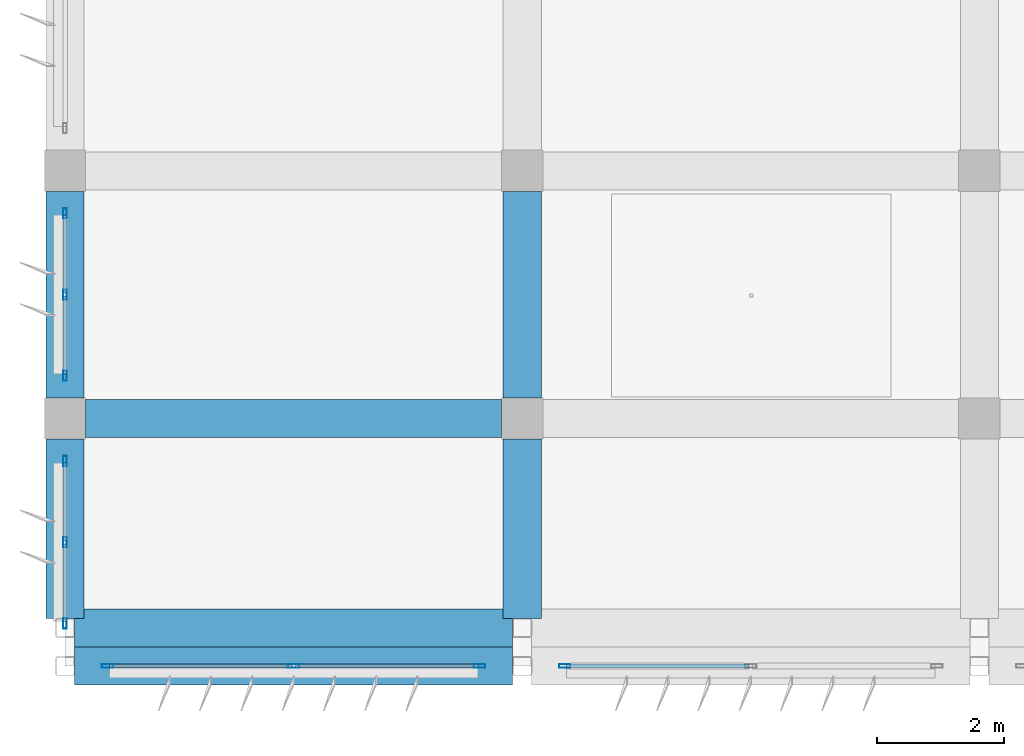
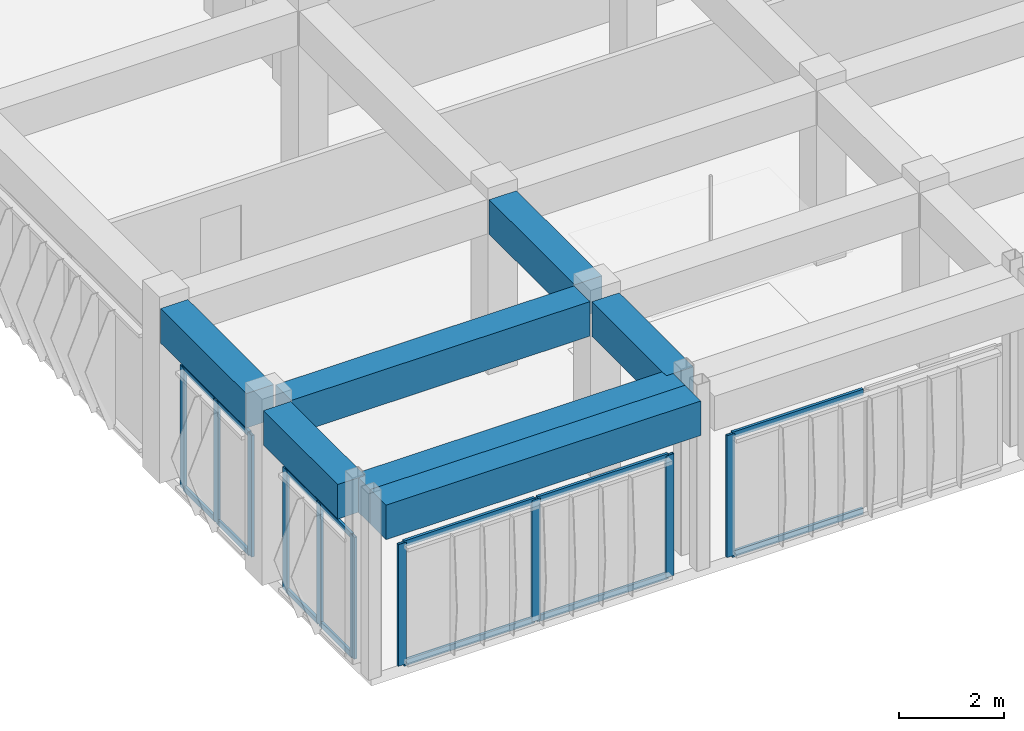
# One storey, part 3 of 53: 24 members, 7 beams, 4 elements without a shape of their own.
"""IFC4 building model written with IfcOpenShell, lengths in metres."""

import ifcopenshell
import ifcopenshell.guid

model = None  # the IFC model being written
_history = None  # IfcOwnerHistory: only IFC2X3 demands one
_inside = {}  # id of a spatial element -> (the spatial element, [elements in it])
_under = {}  # id of a project, library or spatial element -> (it, [spatial elements below it])
_declared = {}  # id of a project -> (the project, [libraries it declares])
_typed = {}  # id of a type object -> (the type object, [elements of that type])
_made_of = {}  # id of a material, layer set ... -> (it, [elements and type objects made of it])


def new_model(schema):
    """Start an empty IFC model of exactly this schema.

    Asked for "IFC4X3", IfcOpenShell would pick the latest addendum, in which some entities
    have other attributes; the version numbers below select the first issue.
    IFC2X3 requires an IfcOwnerHistory on every rooted entity: one is made here for all.
    """
    global model, _history
    if schema == "IFC4X3":
        model = ifcopenshell.file(schema_version=(4, 3, 0, 0))
    else:
        model = ifcopenshell.file(schema=schema)
    _inside.clear()
    _under.clear()
    _declared.clear()
    _typed.clear()
    _made_of.clear()
    _history = None
    if model.schema == "IFC2X3":
        org = make("IfcOrganization", Name="unknown")
        user = make(
            "IfcPersonAndOrganization",
            ThePerson=make("IfcPerson", FamilyName="unknown"),
            TheOrganization=org,
        )
        app = make(
            "IfcApplication",
            ApplicationDeveloper=org,
            Version="unknown",
            ApplicationFullName="unknown",
            ApplicationIdentifier="unknown",
        )
        _history = make(
            "IfcOwnerHistory",
            OwningUser=user,
            OwningApplication=app,
            ChangeAction="ADDED",
            CreationDate=0,
        )
    return model


def make(cls, **values):
    """One entity of the class cls with the attributes given. An attribute that is None is left unset."""
    return model.create_entity(
        cls, **{name: value for name, value in values.items() if value is not None}
    )


def rooted(cls, **values):
    """An entity with a GlobalId (a new one), such as an element, a storey or a relation."""
    return make(cls, GlobalId=ifcopenshell.guid.new(), OwnerHistory=_history, **values)


def si_unit(unit_type, name, prefix=None):
    """IfcSIUnit, for example si_unit("LENGTHUNIT", "METRE", prefix="MILLI")."""
    return make("IfcSIUnit", UnitType=unit_type, Prefix=prefix, Name=name)


def assignment(units):
    """IfcUnitAssignment: the units of a project."""
    return None if units is None else make("IfcUnitAssignment", Units=units)


def point(xyz):
    """IfcCartesianPoint."""
    return None if xyz is None else make("IfcCartesianPoint", Coordinates=xyz)


def direction(xyz):
    """IfcDirection."""
    return None if xyz is None else make("IfcDirection", DirectionRatios=xyz)


def frame(location, z_axis=None, x_axis=None):
    """IfcAxis2Placement3D, a coordinate frame: its origin and axes. An axis left out is left unset."""
    return make(
        "IfcAxis2Placement3D",
        Location=point(location),
        Axis=direction(z_axis),
        RefDirection=direction(x_axis),
    )


def frame_2d(location, x_axis=None):
    """IfcAxis2Placement2D, a coordinate frame in the plane: its origin and x axis."""
    return make(
        "IfcAxis2Placement2D", Location=point(location), RefDirection=direction(x_axis)
    )


def origin():
    """The frame at (0, 0, 0) with its axes left unset."""
    return frame((0.0, 0.0, 0.0))


def origin_2d():
    """The frame at (0, 0) in the plane with its x axis left unset."""
    return frame_2d((0.0, 0.0))


def place(relative_to, where):
    """IfcLocalPlacement: puts the frame where relative to a parent placement (None: the world)."""
    return make(
        "IfcLocalPlacement", PlacementRelTo=relative_to, RelativePlacement=where
    )


def context(
    kind, dimensions, precision=None, world=None, true_north=None, identifier=None
):
    """IfcGeometricRepresentationContext, for example the 3D "Model" context."""
    return make(
        "IfcGeometricRepresentationContext",
        ContextIdentifier=identifier,
        ContextType=kind,
        CoordinateSpaceDimension=dimensions,
        Precision=precision,
        WorldCoordinateSystem=world,
        TrueNorth=true_north,
    )


def subcontext(parent, identifier, kind, view, scale=None):
    """IfcGeometricRepresentationSubContext, for example "Body" below "Model"."""
    return make(
        "IfcGeometricRepresentationSubContext",
        ContextIdentifier=identifier,
        ContextType=kind,
        ParentContext=parent,
        TargetScale=scale,
        TargetView=view,
    )


def project(units=None, contexts=None):
    """IfcProject with its units and contexts."""
    return rooted(
        "IfcProject",
        Name="project",
        RepresentationContexts=contexts,
        UnitsInContext=assignment(units),
    )


def spatial(cls, under=None, at=None, **own):
    """A site, building, storey or space (cls), placed at a placement, below another one or the project."""
    s = rooted(cls, ObjectPlacement=at, **own)
    if under is not None:
        _under.setdefault(under.id(), (under, []))[1].append(s)
    return s


def profile(cls, at=None, kind="AREA", **sizes):
    """A parametric profile (cls). Its sizes go by their IFC names, for example OverallWidth=200.0."""
    return make(cls, ProfileType=kind, Position=at, **sizes)


def rectangle(**sizes):
    """IfcRectangleProfileDef."""
    return profile("IfcRectangleProfileDef", **sizes)


def hollow_rectangle(**sizes):
    """IfcRectangleHollowProfileDef."""
    return profile("IfcRectangleHollowProfileDef", **sizes)


def extrude(swept, where, along, depth):
    """IfcExtrudedAreaSolid: the profile swept, set in the frame where, extruded along a direction by depth."""
    return make(
        "IfcExtrudedAreaSolid",
        SweptArea=swept,
        Position=where,
        ExtrudedDirection=direction(along),
        Depth=depth,
    )


def shape(context_of_items, identifier, shape_type, items):
    """IfcShapeRepresentation: the items that make up one representation, for example the "Body"."""
    return make(
        "IfcShapeRepresentation",
        ContextOfItems=context_of_items,
        RepresentationIdentifier=identifier,
        RepresentationType=shape_type,
        Items=items,
    )


def material(Name=None, Category=None):
    """IfcMaterial."""
    return make("IfcMaterial", Name=Name, Category=Category)


def material_profile(
    of_material, cross_section, Name=None, Category=None, Priority=None
):
    """IfcMaterialProfile: a cross section and its material."""
    return make(
        "IfcMaterialProfile",
        Name=Name,
        Material=of_material,
        Profile=cross_section,
        Priority=Priority,
        Category=Category,
    )


def profile_set(profiles, Name=None, composite=None):
    """IfcMaterialProfileSet."""
    return make(
        "IfcMaterialProfileSet",
        Name=Name,
        MaterialProfiles=profiles,
        CompositeProfile=composite,
    )


def made_of(thing, what):
    """Note that an element or type object is made of a material, layer set ...; save() writes the relation."""
    if what is not None:
        _made_of.setdefault(what.id(), (what, []))[1].append(thing)
    return thing


def type_object(cls, material=None, **own):
    """A type object (cls), such as IfcWallType, which elements share."""
    return made_of(rooted(cls, **own), material)


def element(
    cls,
    number,
    at=None,
    inside=None,
    cuts=None,
    type_object=None,
    material=None,
    context=None,
    identifier="Body",
    shape_type=None,
    held_by="IfcProductDefinitionShape",
    body=None,
    shapes=None,
    **own,
):
    """One element of the class cls, such as IfcWall. Its Tag is "e" and its number.

    at: its placement. inside: the storey or other place that contains it. cuts: it is an
    opening in that element (IfcRelVoidsElement). A single representation is given by context,
    identifier, shape_type and body (its items); several are given by shapes. held_by: the class
    of the entity that holds the representations. save() writes the other relations.
    """
    e = rooted(cls, Tag="e%d" % number, ObjectPlacement=at, **own)
    if body is not None:
        shapes = [shape(context, identifier, shape_type, body)]
    if shapes is not None:
        e.Representation = make(held_by, Representations=shapes)
    if inside is not None:
        _inside.setdefault(inside.id(), (inside, []))[1].append(e)
    if cuts is not None:
        rooted(
            "IfcRelVoidsElement", RelatingBuildingElement=cuts, RelatedOpeningElement=e
        )
    if type_object is not None:
        _typed.setdefault(type_object.id(), (type_object, []))[1].append(e)
    return made_of(e, material)


def aggregate(whole, parts):
    """IfcRelAggregates: a whole, such as a stair, and the parts it consists of."""
    return rooted("IfcRelAggregates", RelatingObject=whole, RelatedObjects=parts)


def save(model, path):
    """Write the relations noted so far, then the file.

    IfcRelAggregates (storeys below a building ...), IfcRelContainedInSpatialStructure (elements
    in a storey), IfcRelDefinesByType, IfcRelAssociatesMaterial and IfcRelDeclares: one each for
    every whole, place, type object, material and project.
    """
    for whole, parts in _under.values():
        aggregate(whole, parts)
    for where, things in _inside.values():
        rooted(
            "IfcRelContainedInSpatialStructure",
            RelatedElements=things,
            RelatingStructure=where,
        )
    for kind, things in _typed.values():
        rooted("IfcRelDefinesByType", RelatedObjects=things, RelatingType=kind)
    for what, things in _made_of.values():
        rooted("IfcRelAssociatesMaterial", RelatedObjects=things, RelatingMaterial=what)
    for by, libraries in _declared.values():
        rooted("IfcRelDeclares", RelatingContext=by, RelatedDefinitions=libraries)
    model.write(path)


model = new_model("IFC4")

# Units and contexts
model_context = context("Model", 3, precision=1e-05, world=origin(), true_north=direction((0.0, 1.0)))
body_context = subcontext(model_context, "Body", "Model", "MODEL_VIEW")
ifc_project = project(units=[si_unit("LENGTHUNIT", "METRE"), si_unit("AREAUNIT", "SQUARE_METRE"), si_unit("VOLUMEUNIT", "CUBIC_METRE"), si_unit("PLANEANGLEUNIT", "RADIAN"), si_unit("MASSUNIT", "GRAM", prefix="KILO")], contexts=[model_context])

# Site, building, storey
site_placement = place(None, origin())
site = spatial("IfcSite", under=ifc_project, at=site_placement, CompositionType="ELEMENT")
building_placement = place(site_placement, origin())
building = spatial("IfcBuilding", under=site, at=building_placement, Name="Kazehaya Institute of Natural Sciences", CompositionType="ELEMENT")
storey_placement = place(building_placement, frame((0.0, 0.0, 33.300048828125)))
storey = spatial("IfcBuildingStorey", under=building, at=storey_placement, Name="L07", CompositionType="ELEMENT", Elevation=33.300048828125)

# Beams
ifc_material_1 = material(Name="Concrete Fc36", Category="concrete")
ifc_material_profile_1 = material_profile(ifc_material_1, rectangle(XDim=0.60009765625, YDim=0.800048828125, at=origin_2d()), Name="RC-600x800")
ifc_profile_set_1 = profile_set([ifc_material_profile_1], Name="Concrete Fc36")
beam_type = type_object("IfcBeamType", Name="BM-G-600x800", PredefinedType="BEAM", material=ifc_profile_set_1)
for number, where, z_axis, x_axis, name in (
    (1, (54.75, 6.199951171875, 3.64990234375), (1.0, 0.0, 0.0), (0.0, 1.0, 0.0), "L07 primary X girder BMX-L07-546-62"),
    (2, (54.75, 6.800048828125, 3.64990234375), (1.0, 0.0, 0.0), (0.0, 1.0, 0.0), "L07 primary X girder BMX-L07-546-68"),
):
    element("IfcBeam", number, at=place(storey_placement, frame(where, z_axis=z_axis, x_axis=x_axis)), inside=storey, type_object=beam_type, Name=name, PredefinedType="BEAM", context=body_context, shape_type="SweptSolid", body=[
        extrude(rectangle(XDim=0.60009765625, YDim=0.800048828125, at=origin_2d()), origin(), (0.0, 0.0, 1.0), 6.89990234375),
    ])
beam_1_placement = place(storey_placement, frame((54.925048828125, 10.10009765625, 3.64990234375), z_axis=(1.0, 0.0, 0.0), x_axis=(0.0, 1.0, 0.0)))
element("IfcBeam", 3, at=beam_1_placement, inside=storey, type_object=beam_type, Name="L07 primary X girder BMX-L07-546-101", PredefinedType="BEAM", context=body_context, shape_type="SweptSolid", body=[
    extrude(rectangle(XDim=0.60009765625, YDim=0.800048828125, at=origin_2d()), origin(), (0.0, 0.0, 1.0), 6.550048828125),
])
beam_2_placement = place(storey_placement, frame((54.60009765625, 6.949951171875, 3.64990234375), z_axis=(0.0, 1.0, 0.0), x_axis=(-1.0, 0.0, 0.0)))
element("IfcBeam", 4, at=beam_2_placement, inside=storey, type_object=beam_type, Name="L07 primary Y girder BMY-L07-546-68", PredefinedType="BEAM", context=body_context, shape_type="SweptSolid", body=[
    extrude(rectangle(XDim=0.60009765625, YDim=0.800048828125, at=origin_2d()), origin(), (0.0, 0.0, 1.0), 2.824951171875),
])
beam_3_placement = place(storey_placement, frame((54.60009765625, 10.425048828125, 3.64990234375), z_axis=(0.0, 1.0, 0.0), x_axis=(-1.0, 0.0, 0.0)))
element("IfcBeam", 5, at=beam_3_placement, inside=storey, type_object=beam_type, Name="L07 primary Y girder BMY-L07-546-101", PredefinedType="BEAM", context=body_context, shape_type="SweptSolid", body=[
    extrude(rectangle(XDim=0.60009765625, YDim=0.800048828125, at=origin_2d()), origin(), (0.0, 0.0, 1.0), 3.25),
])
beam_4_placement = place(storey_placement, frame((61.800048828125, 6.949951171875, 3.64990234375), z_axis=(0.0, 1.0, 0.0), x_axis=(-1.0, 0.0, 0.0)))
element("IfcBeam", 6, at=beam_4_placement, inside=storey, type_object=beam_type, Name="L07 primary Y girder BMY-L07-618-68", PredefinedType="BEAM", context=body_context, shape_type="SweptSolid", body=[
    extrude(rectangle(XDim=0.60009765625, YDim=0.800048828125, at=origin_2d()), origin(), (0.0, 0.0, 1.0), 2.824951171875),
])
beam_5_placement = place(storey_placement, frame((61.800048828125, 10.425048828125, 3.64990234375), z_axis=(0.0, 1.0, 0.0), x_axis=(-1.0, 0.0, 0.0)))
element("IfcBeam", 7, at=beam_5_placement, inside=storey, type_object=beam_type, Name="L07 primary Y girder BMY-L07-618-101", PredefinedType="BEAM", context=body_context, shape_type="SweptSolid", body=[
    extrude(rectangle(XDim=0.60009765625, YDim=0.800048828125, at=origin_2d()), origin(), (0.0, 0.0, 1.0), 3.25),
])

# Curtain wall, members
ifc_material_2 = material(Name="Aluminium alloy A6063S-T5", Category="aluminium")
curtain_wall_type_1 = type_object("IfcCurtainWallType", Name="CW-SYS-09", PredefinedType="NOTDEFINED", material=ifc_material_2)
curtain_wall_1_placement = place(storey_placement, origin())
curtain_wall_1 = element("IfcCurtainWall", 8, at=curtain_wall_1_placement, inside=storey, type_object=curtain_wall_type_1, Name="L07 unitised curtain wall CW-L07-166", PredefinedType="NOTDEFINED")
ifc_material_profile_2 = material_profile(ifc_material_2, hollow_rectangle(XDim=0.06005859375, YDim=0.159912109375, WallThickness=0.00390625, at=origin_2d()), Name="ALU-60x160x4")
ifc_profile_set_2 = profile_set([ifc_material_profile_2], Name="Aluminium alloy A6063S-T5")
member_type_1 = type_object("IfcMemberType", Name="CWM-160", PredefinedType="MULLION", material=ifc_profile_set_2)
member_1_placement = place(storey_placement, frame((54.60009765625, 6.8701171875, 0.0), z_axis=(0.0, 0.0, 1.0), x_axis=(-1.0, 0.0, 0.0)))
member_1 = element("IfcMember", 9, at=member_1_placement, type_object=member_type_1, Name="CW09 mullion 1", PredefinedType="MULLION", context=body_context, shape_type="SweptSolid", body=[
    extrude(hollow_rectangle(XDim=0.06005859375, YDim=0.159912109375, WallThickness=0.00390625, at=origin_2d()), origin(), (0.0, 0.0, 1.0), 2.820068359375),
])
member_2_placement = place(storey_placement, frame((54.60009765625, 8.14990234375, 0.0), z_axis=(0.0, 0.0, 1.0), x_axis=(-1.0, 0.0, 0.0)))
member_2 = element("IfcMember", 10, at=member_2_placement, type_object=member_type_1, Name="CW09 mullion 2", PredefinedType="MULLION", context=body_context, shape_type="SweptSolid", body=[
    extrude(hollow_rectangle(XDim=0.06005859375, YDim=0.159912109375, WallThickness=0.00390625, at=origin_2d()), origin(), (0.0, 0.0, 1.0), 2.820068359375),
])
member_3_placement = place(storey_placement, frame((54.60009765625, 9.429931640625, 0.0), z_axis=(0.0, 0.0, 1.0), x_axis=(-1.0, 0.0, 0.0)))
member_3 = element("IfcMember", 11, at=member_3_placement, type_object=member_type_1, Name="CW09 mullion 3", PredefinedType="MULLION", context=body_context, shape_type="SweptSolid", body=[
    extrude(hollow_rectangle(XDim=0.06005859375, YDim=0.159912109375, WallThickness=0.00390625, at=origin_2d()), origin(), (0.0, 0.0, 1.0), 2.820068359375),
])

curtain_wall_2_placement = place(storey_placement, origin())
curtain_wall_2 = element("IfcCurtainWall", 12, at=curtain_wall_2_placement, inside=storey, type_object=curtain_wall_type_1, Name="L07 unitised curtain wall CW-L07-168", PredefinedType="NOTDEFINED")
member_4_placement = place(storey_placement, frame((54.60009765625, 10.77001953125, 0.0), z_axis=(0.0, 0.0, 1.0), x_axis=(-1.0, 0.0, 0.0)))
member_4 = element("IfcMember", 13, at=member_4_placement, type_object=member_type_1, Name="CW09 mullion 1", PredefinedType="MULLION", context=body_context, shape_type="SweptSolid", body=[
    extrude(hollow_rectangle(XDim=0.06005859375, YDim=0.159912109375, WallThickness=0.00390625, at=origin_2d()), origin(), (0.0, 0.0, 1.0), 2.820068359375),
])
member_5_placement = place(storey_placement, frame((54.60009765625, 12.050048828125, 0.0), z_axis=(0.0, 0.0, 1.0), x_axis=(-1.0, 0.0, 0.0)))
member_5 = element("IfcMember", 14, at=member_5_placement, type_object=member_type_1, Name="CW09 mullion 2", PredefinedType="MULLION", context=body_context, shape_type="SweptSolid", body=[
    extrude(hollow_rectangle(XDim=0.06005859375, YDim=0.159912109375, WallThickness=0.00390625, at=origin_2d()), origin(), (0.0, 0.0, 1.0), 2.820068359375),
])
member_6_placement = place(storey_placement, frame((54.60009765625, 13.330078125, 0.0), z_axis=(0.0, 0.0, 1.0), x_axis=(-1.0, 0.0, 0.0)))
member_6 = element("IfcMember", 15, at=member_6_placement, type_object=member_type_1, Name="CW09 mullion 3", PredefinedType="MULLION", context=body_context, shape_type="SweptSolid", body=[
    extrude(hollow_rectangle(XDim=0.06005859375, YDim=0.159912109375, WallThickness=0.00390625, at=origin_2d()), origin(), (0.0, 0.0, 1.0), 2.820068359375),
])

# Curtain wall, member
curtain_wall_type_2 = type_object("IfcCurtainWallType", Name="CW-SYS-05", PredefinedType="NOTDEFINED", material=ifc_material_2)
curtain_wall_3_placement = place(storey_placement, origin())
curtain_wall_3 = element("IfcCurtainWall", 16, at=curtain_wall_3_placement, inside=storey, type_object=curtain_wall_type_2, Name="L07 unitised curtain wall CW-L07-155", PredefinedType="NOTDEFINED")
ifc_material_profile_3 = material_profile(ifc_material_2, hollow_rectangle(XDim=0.06005859375, YDim=0.179931640625, WallThickness=0.00390625, at=origin_2d()), Name="ALU-60x180x4")
ifc_profile_set_3 = profile_set([ifc_material_profile_3], Name="Aluminium alloy A6063S-T5")
member_type_2 = type_object("IfcMemberType", Name="CWM-180", PredefinedType="MULLION", material=ifc_profile_set_3)
member_7_placement = place(storey_placement, frame((62.469970703125, 6.199951171875, 0.0), z_axis=(0.0, 0.0, 1.0), x_axis=(0.0, -1.0, 0.0)))
member_7 = element("IfcMember", 17, at=member_7_placement, type_object=member_type_2, Name="CW05 mullion 3", PredefinedType="MULLION", context=body_context, shape_type="SweptSolid", body=[
    extrude(hollow_rectangle(XDim=0.06005859375, YDim=0.179931640625, WallThickness=0.00390625, at=origin_2d()), origin(), (0.0, 0.0, 1.0), 2.820068359375),
])

# Curtain wall, members
curtain_wall_4_placement = place(storey_placement, origin())
curtain_wall_4 = element("IfcCurtainWall", 18, at=curtain_wall_4_placement, inside=storey, type_object=curtain_wall_type_2, Name="L07 unitised curtain wall CW-L07-156", PredefinedType="NOTDEFINED")
member_8_placement = place(storey_placement, frame((61.1298828125, 6.199951171875, 0.0), z_axis=(0.0, 0.0, 1.0), x_axis=(0.0, -1.0, 0.0)))
member_8 = element("IfcMember", 19, at=member_8_placement, type_object=member_type_2, Name="CW05 mullion 1", PredefinedType="MULLION", context=body_context, shape_type="SweptSolid", body=[
    extrude(hollow_rectangle(XDim=0.06005859375, YDim=0.179931640625, WallThickness=0.00390625, at=origin_2d()), origin(), (0.0, 0.0, 1.0), 2.820068359375),
])
member_9_placement = place(storey_placement, frame((58.199951171875, 6.199951171875, 0.0), z_axis=(0.0, 0.0, 1.0), x_axis=(0.0, -1.0, 0.0)))
member_9 = element("IfcMember", 20, at=member_9_placement, type_object=member_type_2, Name="CW05 mullion 2", PredefinedType="MULLION", context=body_context, shape_type="SweptSolid", body=[
    extrude(hollow_rectangle(XDim=0.06005859375, YDim=0.179931640625, WallThickness=0.00390625, at=origin_2d()), origin(), (0.0, 0.0, 1.0), 2.820068359375),
])
member_10_placement = place(storey_placement, frame((55.27001953125, 6.199951171875, 0.0), z_axis=(0.0, 0.0, 1.0), x_axis=(0.0, -1.0, 0.0)))
member_10 = element("IfcMember", 21, at=member_10_placement, type_object=member_type_2, Name="CW05 mullion 3", PredefinedType="MULLION", context=body_context, shape_type="SweptSolid", body=[
    extrude(hollow_rectangle(XDim=0.06005859375, YDim=0.179931640625, WallThickness=0.00390625, at=origin_2d()), origin(), (0.0, 0.0, 1.0), 2.820068359375),
])

# Member
ifc_material_profile_4 = material_profile(ifc_material_2, hollow_rectangle(XDim=0.06005859375, YDim=0.1201171875, WallThickness=0.00341796875, at=origin_2d()), Name="ALU-60x120x3.5")
ifc_profile_set_4 = profile_set([ifc_material_profile_4], Name="Aluminium alloy A6063S-T5")
member_type_3 = type_object("IfcMemberType", Name="CWT-120", PredefinedType="USERDEFINED", material=ifc_profile_set_4)
member_11_placement = place(storey_placement, frame((54.60009765625, 6.89990234375, 0.030029296875), z_axis=(0.0, 1.0, 0.0), x_axis=(-1.0, 0.0, 0.0)))
member_11 = element("IfcMember", 22, at=member_11_placement, type_object=member_type_3, Name="CW09 transom 1.1", ObjectType="TRANSOM", PredefinedType="USERDEFINED", context=body_context, shape_type="SweptSolid", body=[
    extrude(hollow_rectangle(XDim=0.06005859375, YDim=0.1201171875, WallThickness=0.00341796875, at=origin_2d()), origin(), (0.0, 0.0, 1.0), 1.22021484375),
])

member_12_placement = place(storey_placement, frame((54.60009765625, 6.89990234375, 2.7900390625), z_axis=(0.0, 1.0, 0.0), x_axis=(-1.0, 0.0, 0.0)))
member_12 = element("IfcMember", 23, at=member_12_placement, type_object=member_type_3, Name="CW09 transom 1.2", ObjectType="TRANSOM", PredefinedType="USERDEFINED", context=body_context, shape_type="SweptSolid", body=[
    extrude(hollow_rectangle(XDim=0.06005859375, YDim=0.1201171875, WallThickness=0.00341796875, at=origin_2d()), origin(), (0.0, 0.0, 1.0), 1.22021484375),
])

member_13_placement = place(storey_placement, frame((54.60009765625, 8.179931640625, 0.030029296875), z_axis=(0.0, 1.0, 0.0), x_axis=(-1.0, 0.0, 0.0)))
member_13 = element("IfcMember", 24, at=member_13_placement, type_object=member_type_3, Name="CW09 transom 2.1", ObjectType="TRANSOM", PredefinedType="USERDEFINED", context=body_context, shape_type="SweptSolid", body=[
    extrude(hollow_rectangle(XDim=0.06005859375, YDim=0.1201171875, WallThickness=0.00341796875, at=origin_2d()), origin(), (0.0, 0.0, 1.0), 1.219970703125),
])

member_14_placement = place(storey_placement, frame((54.60009765625, 8.179931640625, 2.7900390625), z_axis=(0.0, 1.0, 0.0), x_axis=(-1.0, 0.0, 0.0)))
member_14 = element("IfcMember", 25, at=member_14_placement, type_object=member_type_3, Name="CW09 transom 2.2", ObjectType="TRANSOM", PredefinedType="USERDEFINED", context=body_context, shape_type="SweptSolid", body=[
    extrude(hollow_rectangle(XDim=0.06005859375, YDim=0.1201171875, WallThickness=0.00341796875, at=origin_2d()), origin(), (0.0, 0.0, 1.0), 1.219970703125),
])

aggregate(curtain_wall_1, [member_1, member_2, member_3, member_11, member_12, member_13, member_14])

member_15_placement = place(storey_placement, frame((54.60009765625, 10.800048828125, 0.030029296875), z_axis=(0.0, 1.0, 0.0), x_axis=(-1.0, 0.0, 0.0)))
member_15 = element("IfcMember", 26, at=member_15_placement, type_object=member_type_3, Name="CW09 transom 1.1", ObjectType="TRANSOM", PredefinedType="USERDEFINED", context=body_context, shape_type="SweptSolid", body=[
    extrude(hollow_rectangle(XDim=0.06005859375, YDim=0.1201171875, WallThickness=0.00341796875, at=origin_2d()), origin(), (0.0, 0.0, 1.0), 1.219970703125),
])

member_16_placement = place(storey_placement, frame((54.60009765625, 10.800048828125, 2.7900390625), z_axis=(0.0, 1.0, 0.0), x_axis=(-1.0, 0.0, 0.0)))
member_16 = element("IfcMember", 27, at=member_16_placement, type_object=member_type_3, Name="CW09 transom 1.2", ObjectType="TRANSOM", PredefinedType="USERDEFINED", context=body_context, shape_type="SweptSolid", body=[
    extrude(hollow_rectangle(XDim=0.06005859375, YDim=0.1201171875, WallThickness=0.00341796875, at=origin_2d()), origin(), (0.0, 0.0, 1.0), 1.219970703125),
])

member_17_placement = place(storey_placement, frame((54.60009765625, 12.080078125, 0.030029296875), z_axis=(0.0, 1.0, 0.0), x_axis=(-1.0, 0.0, 0.0)))
member_17 = element("IfcMember", 28, at=member_17_placement, type_object=member_type_3, Name="CW09 transom 2.1", ObjectType="TRANSOM", PredefinedType="USERDEFINED", context=body_context, shape_type="SweptSolid", body=[
    extrude(hollow_rectangle(XDim=0.06005859375, YDim=0.1201171875, WallThickness=0.00341796875, at=origin_2d()), origin(), (0.0, 0.0, 1.0), 1.219970703125),
])

member_18_placement = place(storey_placement, frame((54.60009765625, 12.080078125, 2.7900390625), z_axis=(0.0, 1.0, 0.0), x_axis=(-1.0, 0.0, 0.0)))
member_18 = element("IfcMember", 29, at=member_18_placement, type_object=member_type_3, Name="CW09 transom 2.2", ObjectType="TRANSOM", PredefinedType="USERDEFINED", context=body_context, shape_type="SweptSolid", body=[
    extrude(hollow_rectangle(XDim=0.06005859375, YDim=0.1201171875, WallThickness=0.00341796875, at=origin_2d()), origin(), (0.0, 0.0, 1.0), 1.219970703125),
])

aggregate(curtain_wall_2, [member_4, member_5, member_6, member_15, member_16, member_17, member_18])

ifc_material_profile_5 = material_profile(ifc_material_2, hollow_rectangle(XDim=0.06005859375, YDim=0.139892578125, WallThickness=0.00341796875, at=origin_2d()), Name="ALU-60x140x3.5")
ifc_profile_set_5 = profile_set([ifc_material_profile_5], Name="Aluminium alloy A6063S-T5")
member_type_4 = type_object("IfcMemberType", Name="CWT-140", PredefinedType="USERDEFINED", material=ifc_profile_set_5)
member_19_placement = place(storey_placement, frame((65.3701171875, 6.199951171875, 0.030029296875), z_axis=(-1.0, 0.0, 0.0), x_axis=(0.0, -1.0, 0.0)))
member_19 = element("IfcMember", 30, at=member_19_placement, type_object=member_type_4, Name="CW05 transom 2.1", ObjectType="TRANSOM", PredefinedType="USERDEFINED", context=body_context, shape_type="SweptSolid", body=[
    extrude(hollow_rectangle(XDim=0.06005859375, YDim=0.139892578125, WallThickness=0.00341796875, at=origin_2d()), origin(), (0.0, 0.0, 1.0), 2.8701171875),
])

member_20_placement = place(storey_placement, frame((65.3701171875, 6.199951171875, 2.7900390625), z_axis=(-1.0, 0.0, 0.0), x_axis=(0.0, -1.0, 0.0)))
member_20 = element("IfcMember", 31, at=member_20_placement, type_object=member_type_4, Name="CW05 transom 2.2", ObjectType="TRANSOM", PredefinedType="USERDEFINED", context=body_context, shape_type="SweptSolid", body=[
    extrude(hollow_rectangle(XDim=0.06005859375, YDim=0.139892578125, WallThickness=0.00341796875, at=origin_2d()), origin(), (0.0, 0.0, 1.0), 2.8701171875),
])

aggregate(curtain_wall_3, [member_7, member_19, member_20])

member_21_placement = place(storey_placement, frame((61.10009765625, 6.199951171875, 0.030029296875), z_axis=(-1.0, 0.0, 0.0), x_axis=(0.0, -1.0, 0.0)))
member_21 = element("IfcMember", 32, at=member_21_placement, type_object=member_type_4, Name="CW05 transom 1.1", ObjectType="TRANSOM", PredefinedType="USERDEFINED", context=body_context, shape_type="SweptSolid", body=[
    extrude(hollow_rectangle(XDim=0.06005859375, YDim=0.139892578125, WallThickness=0.00341796875, at=origin_2d()), origin(), (0.0, 0.0, 1.0), 2.8701171875),
])

member_22_placement = place(storey_placement, frame((61.10009765625, 6.199951171875, 2.7900390625), z_axis=(-1.0, 0.0, 0.0), x_axis=(0.0, -1.0, 0.0)))
member_22 = element("IfcMember", 33, at=member_22_placement, type_object=member_type_4, Name="CW05 transom 1.2", ObjectType="TRANSOM", PredefinedType="USERDEFINED", context=body_context, shape_type="SweptSolid", body=[
    extrude(hollow_rectangle(XDim=0.06005859375, YDim=0.139892578125, WallThickness=0.00341796875, at=origin_2d()), origin(), (0.0, 0.0, 1.0), 2.8701171875),
])

member_23_placement = place(storey_placement, frame((58.169921875, 6.199951171875, 0.030029296875), z_axis=(-1.0, 0.0, 0.0), x_axis=(0.0, -1.0, 0.0)))
member_23 = element("IfcMember", 34, at=member_23_placement, type_object=member_type_4, Name="CW05 transom 2.1", ObjectType="TRANSOM", PredefinedType="USERDEFINED", context=body_context, shape_type="SweptSolid", body=[
    extrude(hollow_rectangle(XDim=0.06005859375, YDim=0.139892578125, WallThickness=0.00341796875, at=origin_2d()), origin(), (0.0, 0.0, 1.0), 2.869873046875),
])

member_24_placement = place(storey_placement, frame((58.169921875, 6.199951171875, 2.7900390625), z_axis=(-1.0, 0.0, 0.0), x_axis=(0.0, -1.0, 0.0)))
member_24 = element("IfcMember", 35, at=member_24_placement, type_object=member_type_4, Name="CW05 transom 2.2", ObjectType="TRANSOM", PredefinedType="USERDEFINED", context=body_context, shape_type="SweptSolid", body=[
    extrude(hollow_rectangle(XDim=0.06005859375, YDim=0.139892578125, WallThickness=0.00341796875, at=origin_2d()), origin(), (0.0, 0.0, 1.0), 2.869873046875),
])

aggregate(curtain_wall_4, [member_8, member_9, member_10, member_21, member_22, member_23, member_24])

save(model, "model.ifc")
